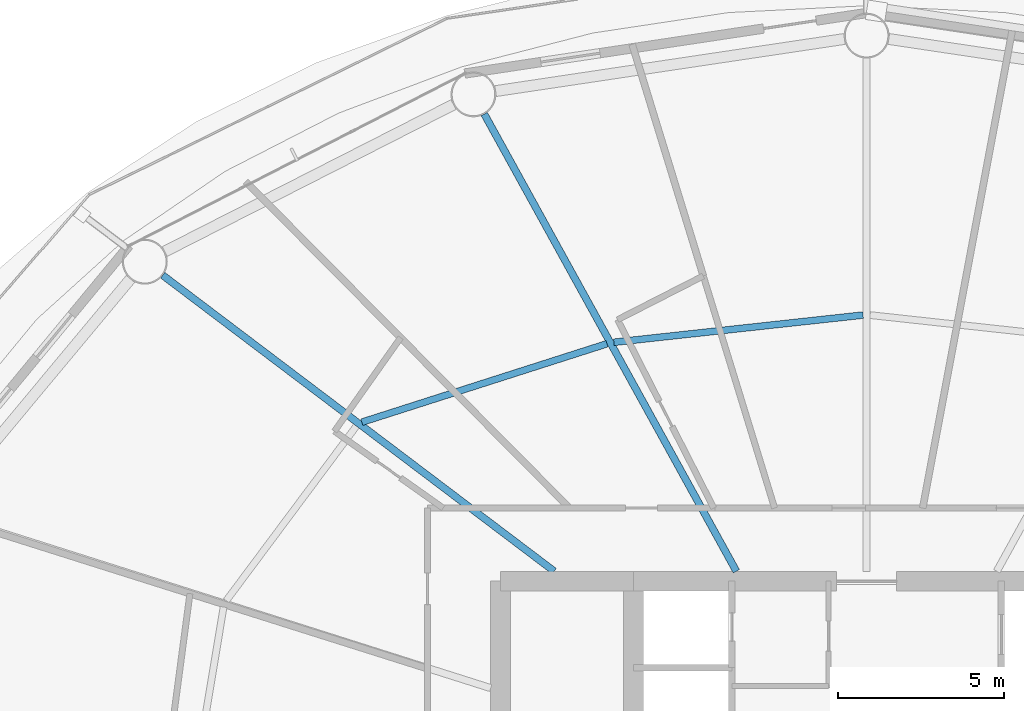
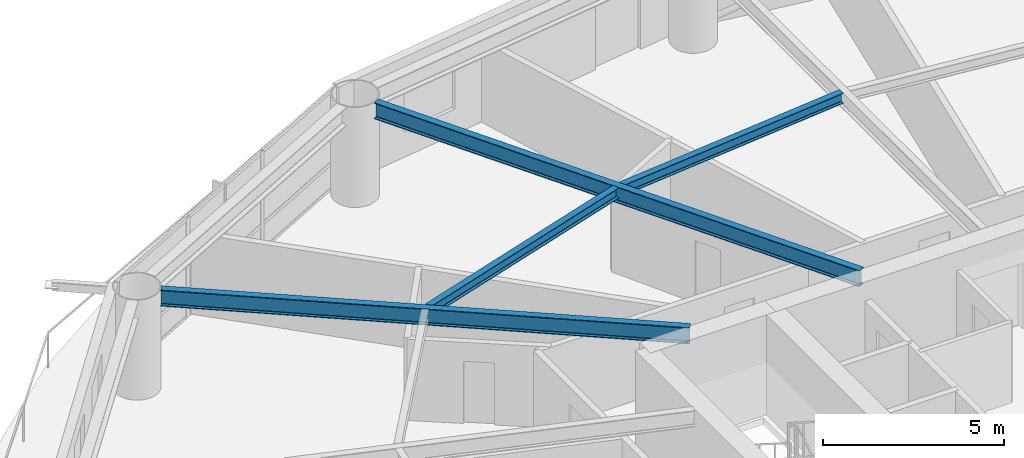
# One storey, part 11 of 26: 4 beams.
"""IFC4 building model written with IfcOpenShell, lengths in metres."""

import ifcopenshell
import ifcopenshell.guid

model = None  # the IFC model being written
_history = None  # IfcOwnerHistory: only IFC2X3 demands one
_inside = {}  # id of a spatial element -> (the spatial element, [elements in it])
_under = {}  # id of a project, library or spatial element -> (it, [spatial elements below it])
_declared = {}  # id of a project -> (the project, [libraries it declares])
_typed = {}  # id of a type object -> (the type object, [elements of that type])
_made_of = {}  # id of a material, layer set ... -> (it, [elements and type objects made of it])


def new_model(schema):
    """Start an empty IFC model of exactly this schema.

    Asked for "IFC4X3", IfcOpenShell would pick the latest addendum, in which some entities
    have other attributes; the version numbers below select the first issue.
    IFC2X3 requires an IfcOwnerHistory on every rooted entity: one is made here for all.
    """
    global model, _history
    if schema == "IFC4X3":
        model = ifcopenshell.file(schema_version=(4, 3, 0, 0))
    else:
        model = ifcopenshell.file(schema=schema)
    _inside.clear()
    _under.clear()
    _declared.clear()
    _typed.clear()
    _made_of.clear()
    _history = None
    if model.schema == "IFC2X3":
        org = make("IfcOrganization", Name="unknown")
        user = make(
            "IfcPersonAndOrganization",
            ThePerson=make("IfcPerson", FamilyName="unknown"),
            TheOrganization=org,
        )
        app = make(
            "IfcApplication",
            ApplicationDeveloper=org,
            Version="unknown",
            ApplicationFullName="unknown",
            ApplicationIdentifier="unknown",
        )
        _history = make(
            "IfcOwnerHistory",
            OwningUser=user,
            OwningApplication=app,
            ChangeAction="ADDED",
            CreationDate=0,
        )
    return model


def make(cls, **values):
    """One entity of the class cls with the attributes given. An attribute that is None is left unset."""
    return model.create_entity(
        cls, **{name: value for name, value in values.items() if value is not None}
    )


def rooted(cls, **values):
    """An entity with a GlobalId (a new one), such as an element, a storey or a relation."""
    return make(cls, GlobalId=ifcopenshell.guid.new(), OwnerHistory=_history, **values)


def si_unit(unit_type, name, prefix=None):
    """IfcSIUnit, for example si_unit("LENGTHUNIT", "METRE", prefix="MILLI")."""
    return make("IfcSIUnit", UnitType=unit_type, Prefix=prefix, Name=name)


def assignment(units):
    """IfcUnitAssignment: the units of a project."""
    return None if units is None else make("IfcUnitAssignment", Units=units)


def point(xyz):
    """IfcCartesianPoint."""
    return None if xyz is None else make("IfcCartesianPoint", Coordinates=xyz)


def direction(xyz):
    """IfcDirection."""
    return None if xyz is None else make("IfcDirection", DirectionRatios=xyz)


def frame(location, z_axis=None, x_axis=None):
    """IfcAxis2Placement3D, a coordinate frame: its origin and axes. An axis left out is left unset."""
    return make(
        "IfcAxis2Placement3D",
        Location=point(location),
        Axis=direction(z_axis),
        RefDirection=direction(x_axis),
    )


def frame_2d(location, x_axis=None):
    """IfcAxis2Placement2D, a coordinate frame in the plane: its origin and x axis."""
    return make(
        "IfcAxis2Placement2D", Location=point(location), RefDirection=direction(x_axis)
    )


def origin():
    """The frame at (0, 0, 0) with its axes left unset."""
    return frame((0.0, 0.0, 0.0))


def origin_2d():
    """The frame at (0, 0) in the plane with its x axis left unset."""
    return frame_2d((0.0, 0.0))


def place(relative_to, where):
    """IfcLocalPlacement: puts the frame where relative to a parent placement (None: the world)."""
    return make(
        "IfcLocalPlacement", PlacementRelTo=relative_to, RelativePlacement=where
    )


def context(
    kind, dimensions, precision=None, world=None, true_north=None, identifier=None
):
    """IfcGeometricRepresentationContext, for example the 3D "Model" context."""
    return make(
        "IfcGeometricRepresentationContext",
        ContextIdentifier=identifier,
        ContextType=kind,
        CoordinateSpaceDimension=dimensions,
        Precision=precision,
        WorldCoordinateSystem=world,
        TrueNorth=true_north,
    )


def subcontext(parent, identifier, kind, view, scale=None):
    """IfcGeometricRepresentationSubContext, for example "Body" below "Model"."""
    return make(
        "IfcGeometricRepresentationSubContext",
        ContextIdentifier=identifier,
        ContextType=kind,
        ParentContext=parent,
        TargetScale=scale,
        TargetView=view,
    )


def project(units=None, contexts=None):
    """IfcProject with its units and contexts."""
    return rooted(
        "IfcProject",
        Name="project",
        RepresentationContexts=contexts,
        UnitsInContext=assignment(units),
    )


def spatial(cls, under=None, at=None, **own):
    """A site, building, storey or space (cls), placed at a placement, below another one or the project."""
    s = rooted(cls, ObjectPlacement=at, **own)
    if under is not None:
        _under.setdefault(under.id(), (under, []))[1].append(s)
    return s


def profile(cls, at=None, kind="AREA", **sizes):
    """A parametric profile (cls). Its sizes go by their IFC names, for example OverallWidth=200.0."""
    return make(cls, ProfileType=kind, Position=at, **sizes)


def i_section(**sizes):
    """IfcIShapeProfileDef."""
    return profile("IfcIShapeProfileDef", **sizes)


def extrude(swept, where, along, depth):
    """IfcExtrudedAreaSolid: the profile swept, set in the frame where, extruded along a direction by depth."""
    return make(
        "IfcExtrudedAreaSolid",
        SweptArea=swept,
        Position=where,
        ExtrudedDirection=direction(along),
        Depth=depth,
    )


def shape(context_of_items, identifier, shape_type, items):
    """IfcShapeRepresentation: the items that make up one representation, for example the "Body"."""
    return make(
        "IfcShapeRepresentation",
        ContextOfItems=context_of_items,
        RepresentationIdentifier=identifier,
        RepresentationType=shape_type,
        Items=items,
    )


def material(Name=None, Category=None):
    """IfcMaterial."""
    return make("IfcMaterial", Name=Name, Category=Category)


def material_profile(
    of_material, cross_section, Name=None, Category=None, Priority=None
):
    """IfcMaterialProfile: a cross section and its material."""
    return make(
        "IfcMaterialProfile",
        Name=Name,
        Material=of_material,
        Profile=cross_section,
        Priority=Priority,
        Category=Category,
    )


def profile_set(profiles, Name=None, composite=None):
    """IfcMaterialProfileSet."""
    return make(
        "IfcMaterialProfileSet",
        Name=Name,
        MaterialProfiles=profiles,
        CompositeProfile=composite,
    )


def made_of(thing, what):
    """Note that an element or type object is made of a material, layer set ...; save() writes the relation."""
    if what is not None:
        _made_of.setdefault(what.id(), (what, []))[1].append(thing)
    return thing


def type_object(cls, material=None, **own):
    """A type object (cls), such as IfcWallType, which elements share."""
    return made_of(rooted(cls, **own), material)


def element(
    cls,
    number,
    at=None,
    inside=None,
    cuts=None,
    type_object=None,
    material=None,
    context=None,
    identifier="Body",
    shape_type=None,
    held_by="IfcProductDefinitionShape",
    body=None,
    shapes=None,
    **own,
):
    """One element of the class cls, such as IfcWall. Its Tag is "e" and its number.

    at: its placement. inside: the storey or other place that contains it. cuts: it is an
    opening in that element (IfcRelVoidsElement). A single representation is given by context,
    identifier, shape_type and body (its items); several are given by shapes. held_by: the class
    of the entity that holds the representations. save() writes the other relations.
    """
    e = rooted(cls, Tag="e%d" % number, ObjectPlacement=at, **own)
    if body is not None:
        shapes = [shape(context, identifier, shape_type, body)]
    if shapes is not None:
        e.Representation = make(held_by, Representations=shapes)
    if inside is not None:
        _inside.setdefault(inside.id(), (inside, []))[1].append(e)
    if cuts is not None:
        rooted(
            "IfcRelVoidsElement", RelatingBuildingElement=cuts, RelatedOpeningElement=e
        )
    if type_object is not None:
        _typed.setdefault(type_object.id(), (type_object, []))[1].append(e)
    return made_of(e, material)


def aggregate(whole, parts):
    """IfcRelAggregates: a whole, such as a stair, and the parts it consists of."""
    return rooted("IfcRelAggregates", RelatingObject=whole, RelatedObjects=parts)


def save(model, path):
    """Write the relations noted so far, then the file.

    IfcRelAggregates (storeys below a building ...), IfcRelContainedInSpatialStructure (elements
    in a storey), IfcRelDefinesByType, IfcRelAssociatesMaterial and IfcRelDeclares: one each for
    every whole, place, type object, material and project.
    """
    for whole, parts in _under.values():
        aggregate(whole, parts)
    for where, things in _inside.values():
        rooted(
            "IfcRelContainedInSpatialStructure",
            RelatedElements=things,
            RelatingStructure=where,
        )
    for kind, things in _typed.values():
        rooted("IfcRelDefinesByType", RelatedObjects=things, RelatingType=kind)
    for what, things in _made_of.values():
        rooted("IfcRelAssociatesMaterial", RelatedObjects=things, RelatingMaterial=what)
    for by, libraries in _declared.values():
        rooted("IfcRelDeclares", RelatingContext=by, RelatedDefinitions=libraries)
    model.write(path)


model = new_model("IFC4")

# Units and contexts
model_context = context("Model", 3, precision=1e-05, world=origin(), true_north=direction((0.0, 1.0)))
body_context = subcontext(model_context, "Body", "Model", "MODEL_VIEW")
ifc_project = project(units=[si_unit("LENGTHUNIT", "METRE"), si_unit("AREAUNIT", "SQUARE_METRE"), si_unit("VOLUMEUNIT", "CUBIC_METRE"), si_unit("PLANEANGLEUNIT", "RADIAN"), si_unit("MASSUNIT", "GRAM", prefix="KILO")], contexts=[model_context])

# Site, building, storey
site_placement = place(None, origin())
site = spatial("IfcSite", under=ifc_project, at=site_placement, CompositionType="ELEMENT")
building_placement = place(site_placement, origin())
building = spatial("IfcBuilding", under=site, at=building_placement, Name="Sarneth Arch Tower", CompositionType="ELEMENT")
storey_placement = place(building_placement, frame((0.0, 0.0, 49.800048828125)))
storey = spatial("IfcBuildingStorey", under=building, at=storey_placement, Name="L11", CompositionType="ELEMENT", Elevation=49.800048828125)

# Beams
ifc_material_1 = material(Name="Steel S355", Category="steel")
ifc_material_profile_1 = material_profile(ifc_material_1, i_section(OverallWidth=0.2041015625, OverallDepth=0.35009765625, WebThickness=0.008544921875, FlangeThickness=0.01513671875, FilletRadius=0.014892578125, at=origin_2d()), Name="W360x72")
ifc_profile_set_1 = profile_set([ifc_material_profile_1], Name="Steel S355")
beam_type_1 = type_object("IfcBeamType", Name="BM-JOIST-360D", PredefinedType="JOIST", material=ifc_profile_set_1)
beam_1_placement = place(storey_placement, frame((47.8935546875, 56.80078125, 3.204833984375), z_axis=(-0.994095251924, -0.108510967657, 0.0), x_axis=(0.108510967657, -0.994095251924, 0.0)))
element("IfcBeam", 1, at=beam_1_placement, inside=storey, type_object=beam_type_1, Name="L11 Secondary floor joist 05", PredefinedType="JOIST", context=body_context, shape_type="SweptSolid", body=[
    extrude(i_section(OverallWidth=0.2041015625, OverallDepth=0.35009765625, WebThickness=0.008544921875, FlangeThickness=0.01513671875, FilletRadius=0.014892578125, at=origin_2d()), origin(), (0.0, 0.0, 1.0), 7.534912109375),
])
beam_2_placement = place(storey_placement, frame((40.19482421875, 55.938720703125, 3.204833984375), z_axis=(-0.952436240143, -0.304737934073, 0.0), x_axis=(0.304737934073, -0.952436240143, 0.0)))
element("IfcBeam", 2, at=beam_2_placement, inside=storey, type_object=beam_type_1, Name="L11 Secondary floor joist 06", PredefinedType="JOIST", context=body_context, shape_type="SweptSolid", body=[
    extrude(i_section(OverallWidth=0.2041015625, OverallDepth=0.35009765625, WebThickness=0.008544921875, FlangeThickness=0.01513671875, FilletRadius=0.014892578125, at=origin_2d()), origin(), (0.0, 0.0, 1.0), 7.735107421875),
])
ifc_material_2 = material(Name="Steel S355", Category="steel")
ifc_material_profile_2 = material_profile(ifc_material_2, i_section(OverallWidth=0.214111328125, OverallDepth=0.549072265625, WebThickness=0.0146484375, FlangeThickness=0.023681640625, FilletRadius=0.01806640625, at=origin_2d()), Name="W530x138")
ifc_profile_set_2 = profile_set([ifc_material_profile_2], Name="Steel S355")
beam_type_2 = type_object("IfcBeamType", Name="BM-RAD-530A", PredefinedType="BEAM", material=ifc_profile_set_2)
beam_3_placement = place(storey_placement, frame((44.08544921875, 49.10009765625, 3.10546875), z_axis=(-0.482837562311, 0.875709933952, 0.0), x_axis=(-0.875709933952, -0.482837562311, 0.0)))
element("IfcBeam", 3, at=beam_3_placement, inside=storey, type_object=beam_type_2, Name="L11 Radial floor girder 06", PredefinedType="BEAM", context=body_context, shape_type="SweptSolid", body=[
    extrude(i_section(OverallWidth=0.214111328125, OverallDepth=0.549072265625, WebThickness=0.0146484375, FlangeThickness=0.023681640625, FilletRadius=0.01806640625, at=origin_2d()), origin(), (0.0, 0.0, 1.0), 15.693359375),
])
beam_4_placement = place(storey_placement, frame((38.609619140625, 49.10009765625, 3.10546875), z_axis=(-0.797656612852, 0.603111870198, 0.0), x_axis=(-0.603111870198, -0.797656612852, 0.0)))
element("IfcBeam", 4, at=beam_4_placement, inside=storey, type_object=beam_type_2, Name="L11 Radial floor girder 07", PredefinedType="BEAM", context=body_context, shape_type="SweptSolid", body=[
    extrude(i_section(OverallWidth=0.214111328125, OverallDepth=0.549072265625, WebThickness=0.0146484375, FlangeThickness=0.023681640625, FilletRadius=0.01806640625, at=origin_2d()), origin(), (0.0, 0.0, 1.0), 14.7529296875),
])

save(model, "model.ifc")
